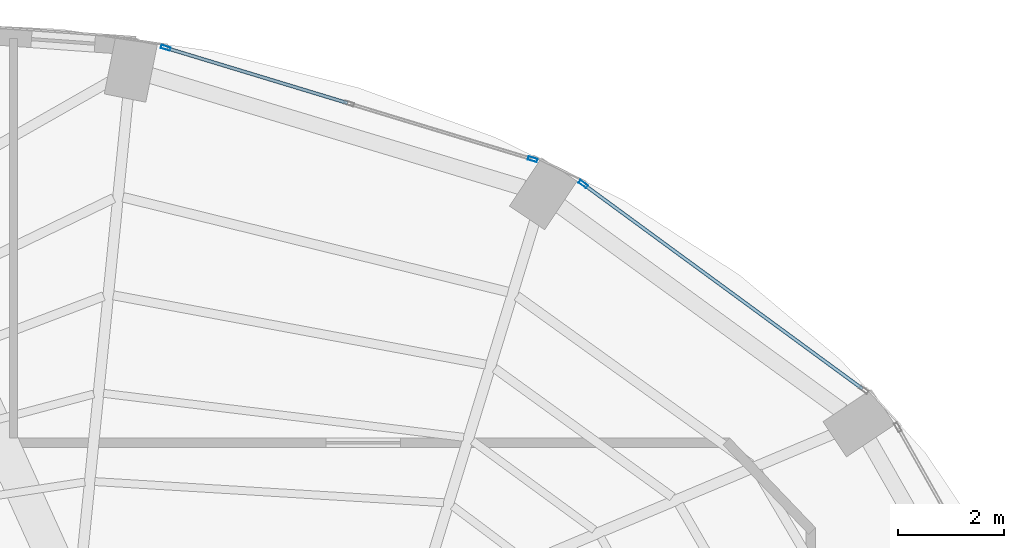
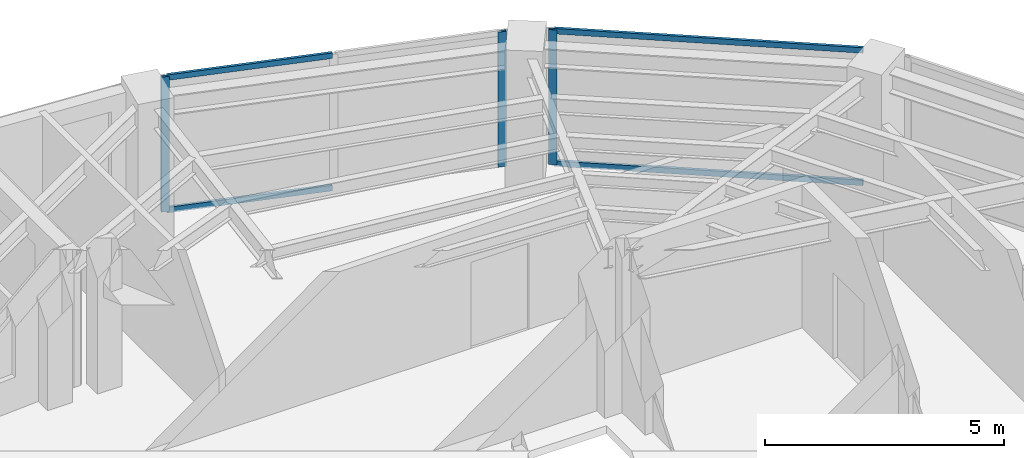
# One storey, part 17 of 23: 7 members, 2 elements without a shape of their own.
"""IFC4 building model written with IfcOpenShell, lengths in metres."""

from ifc_helpers import new_model, si_unit, direction, frame, origin, origin_2d, place, context, subcontext, project, spatial, hollow_rectangle, extrude, material, layer, layer_set, material_profile, profile_set, type_object, element, aggregate, save


model = new_model("IFC4")

# Units and contexts
model_context = context("Model", 3, precision=1e-05, world=origin(), true_north=direction((0.0, 1.0)))
body_context = subcontext(model_context, "Body", "Model", "MODEL_VIEW")
ifc_project = project(units=[si_unit("LENGTHUNIT", "METRE"), si_unit("AREAUNIT", "SQUARE_METRE"), si_unit("VOLUMEUNIT", "CUBIC_METRE"), si_unit("PLANEANGLEUNIT", "RADIAN"), si_unit("MASSUNIT", "GRAM", prefix="KILO")], contexts=[model_context])

# Site, building, storey
site_placement = place(None, origin())
site = spatial("IfcSite", under=ifc_project, at=site_placement, CompositionType="ELEMENT")
building_placement = place(site_placement, origin())
building = spatial("IfcBuilding", under=site, at=building_placement, Name="Lazwardi Medical Tower", CompositionType="ELEMENT")
storey_placement = place(building_placement, frame((0.0, 0.0, 231.31201171875)))
storey = spatial("IfcBuildingStorey", under=building, at=storey_placement, Name="L60", CompositionType="ELEMENT", Elevation=231.31201171875)

# Curtain wall, member
ifc_material_1 = material(Name="Anodised bronze aluminium and solar control glazing", Category="aluminium")
ifc_layer = layer(ifc_material_1, 0.18994140625)
ifc_layer_set = layer_set([ifc_layer], Name="Anodised bronze aluminium and solar control glazing")
curtain_wall_type = type_object("IfcCurtainWallType", Name="CW-SYS-04", PredefinedType="NOTDEFINED", material=ifc_layer_set)
curtain_wall_1_placement = place(storey_placement, origin())
curtain_wall_1 = element("IfcCurtainWall", 1, at=curtain_wall_1_placement, inside=storey, type_object=curtain_wall_type, Name="L60 Unitised bronze curtain wall CW-04", PredefinedType="NOTDEFINED")
ifc_material_2 = material(Name="Anodised bronze aluminium", Category="aluminium")
ifc_material_profile_1 = material_profile(ifc_material_2, hollow_rectangle(XDim=0.06494140625, YDim=0.179931640625, WallThickness=0.00390625, at=origin_2d()), Name="ALU-MULLION 180x65x4")
ifc_profile_set_1 = profile_set([ifc_material_profile_1], Name="Anodised bronze aluminium")
member_type_1 = type_object("IfcMemberType", Name="CW-MUL-03", PredefinedType="MULLION", material=ifc_profile_set_1)
member_1_placement = place(storey_placement, frame((48.75537109375, 43.634765625, 0.0), z_axis=(0.0, 0.0, 1.0), x_axis=(-0.591268230971, -0.806474971121, 0.0)))
member_1 = element("IfcMember", 2, at=member_1_placement, type_object=member_type_1, Name="CW-04 mullion 2", PredefinedType="MULLION", context=body_context, shape_type="SweptSolid", body=[
    extrude(hollow_rectangle(XDim=0.06494140625, YDim=0.179931640625, WallThickness=0.00390625, at=origin_2d()), origin(), (0.0, 0.0, 1.0), 3.447998046875),
])

# Curtain wall, members
curtain_wall_2_placement = place(storey_placement, origin())
curtain_wall_2 = element("IfcCurtainWall", 3, at=curtain_wall_2_placement, inside=storey, type_object=curtain_wall_type, Name="L60 Unitised bronze curtain wall CW-04", PredefinedType="NOTDEFINED")
member_2_placement = place(storey_placement, frame((47.7998046875, 44.103515625, 0.0), z_axis=(0.0, 0.0, 1.0), x_axis=(-0.290581889515, -0.956850126972, 0.0)))
member_2 = element("IfcMember", 4, at=member_2_placement, type_object=member_type_1, Name="CW-04 mullion 1", PredefinedType="MULLION", context=body_context, shape_type="SweptSolid", body=[
    extrude(hollow_rectangle(XDim=0.06494140625, YDim=0.179931640625, WallThickness=0.00390625, at=origin_2d()), origin(), (0.0, 0.0, 1.0), 3.447998046875),
])
member_3_placement = place(storey_placement, frame((40.873046875, 46.20703125, 0.0), z_axis=(0.0, 0.0, 1.0), x_axis=(-0.290581889515, -0.956850126972, 0.0)))
member_3 = element("IfcMember", 5, at=member_3_placement, type_object=member_type_1, Name="CW-04 mullion 3", PredefinedType="MULLION", context=body_context, shape_type="SweptSolid", body=[
    extrude(hollow_rectangle(XDim=0.06494140625, YDim=0.179931640625, WallThickness=0.00390625, at=origin_2d()), origin(), (0.0, 0.0, 1.0), 3.447998046875),
])

# Member
ifc_material_profile_2 = material_profile(ifc_material_2, hollow_rectangle(XDim=0.06494140625, YDim=0.139892578125, WallThickness=0.00341796875, at=origin_2d()), Name="ALU-TRANSOM 140x65x3.5")
ifc_profile_set_2 = profile_set([ifc_material_profile_2], Name="Anodised bronze aluminium")
member_type_2 = type_object("IfcMemberType", Name="CW-TRN-03", PredefinedType="USERDEFINED", material=ifc_profile_set_2)
member_4_placement = place(storey_placement, frame((54.02587890625, 39.770751953125, 0.032470703125), z_axis=(-0.806471831148, 0.591272513791, 0.0), x_axis=(-0.591272513791, -0.806471831148, 0.0)))
member_4 = element("IfcMember", 6, at=member_4_placement, type_object=member_type_2, Name="CW-04 transom 1.1", ObjectType="TRANSOM", PredefinedType="USERDEFINED", context=body_context, shape_type="SweptSolid", body=[
    extrude(hollow_rectangle(XDim=0.06494140625, YDim=0.139892578125, WallThickness=0.00341796875, at=origin_2d()), origin(), (0.0, 0.0, 1.0), 6.5029296875),
])

member_5_placement = place(storey_placement, frame((54.02587890625, 39.770751953125, 3.41552734375), z_axis=(-0.806471831148, 0.591272513791, 0.0), x_axis=(-0.591272513791, -0.806471831148, 0.0)))
member_5 = element("IfcMember", 7, at=member_5_placement, type_object=member_type_2, Name="CW-04 transom 1.2", ObjectType="TRANSOM", PredefinedType="USERDEFINED", context=body_context, shape_type="SweptSolid", body=[
    extrude(hollow_rectangle(XDim=0.06494140625, YDim=0.139892578125, WallThickness=0.00341796875, at=origin_2d()), origin(), (0.0, 0.0, 1.0), 6.5029296875),
])

aggregate(curtain_wall_1, [member_1, member_4, member_5])

member_6_placement = place(storey_placement, frame((44.305419921875, 45.164794921875, 0.032470703125), z_axis=(-0.956862505902, 0.290541124109, 0.0), x_axis=(-0.290541124109, -0.956862505902, 0.0)))
member_6 = element("IfcMember", 8, at=member_6_placement, type_object=member_type_2, Name="CW-04 transom 2.1", ObjectType="TRANSOM", PredefinedType="USERDEFINED", context=body_context, shape_type="SweptSolid", body=[
    extrude(hollow_rectangle(XDim=0.06494140625, YDim=0.139892578125, WallThickness=0.00341796875, at=origin_2d()), origin(), (0.0, 0.0, 1.0), 3.554443359375),
])

member_7_placement = place(storey_placement, frame((44.305419921875, 45.164794921875, 3.41552734375), z_axis=(-0.956862505902, 0.290541124109, 0.0), x_axis=(-0.290541124109, -0.956862505902, 0.0)))
member_7 = element("IfcMember", 9, at=member_7_placement, type_object=member_type_2, Name="CW-04 transom 2.2", ObjectType="TRANSOM", PredefinedType="USERDEFINED", context=body_context, shape_type="SweptSolid", body=[
    extrude(hollow_rectangle(XDim=0.06494140625, YDim=0.139892578125, WallThickness=0.00341796875, at=origin_2d()), origin(), (0.0, 0.0, 1.0), 3.554443359375),
])

aggregate(curtain_wall_2, [member_2, member_3, member_6, member_7])

save(model, "model.ifc")
